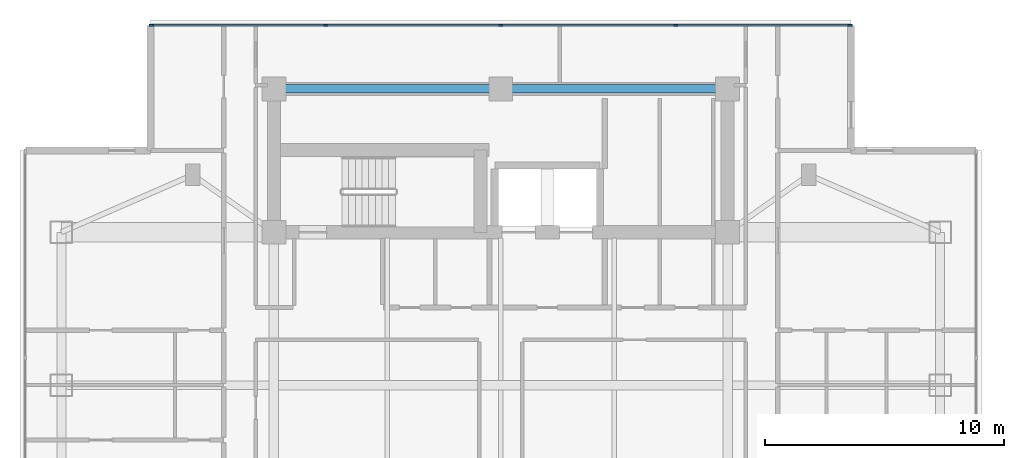
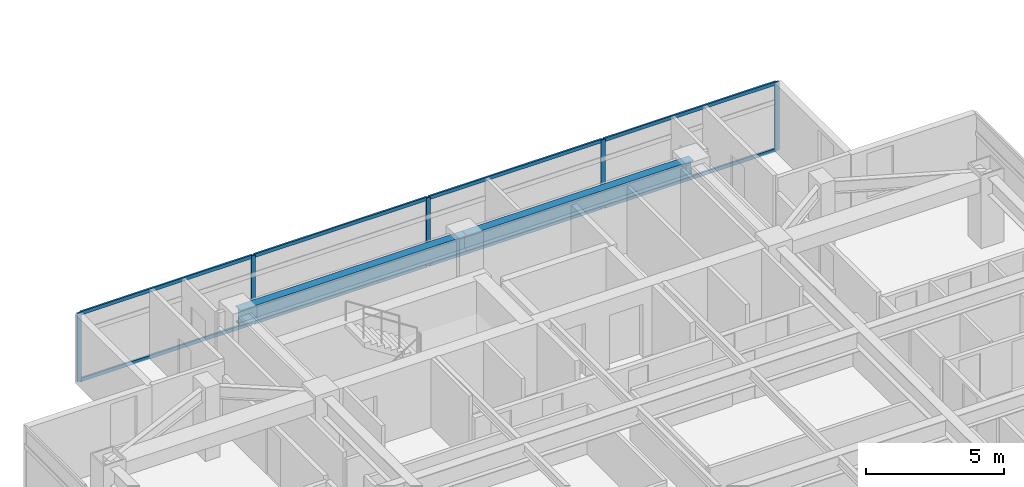
# One storey, part 8 of 24: 13 members, 2 beams, 1 element without a shape of its own.
"""IFC4 building model written with IfcOpenShell, lengths in metres."""

from ifc_helpers import new_model, si_unit, direction, frame, origin, origin_2d, place, context, subcontext, project, spatial, rectangle, i_section, extrude, material, material_profile, profile_set, type_object, element, aggregate, save


model = new_model("IFC4")

# Units and contexts
model_context = context("Model", 3, precision=1e-05, world=origin(), true_north=direction((0.0, 1.0)))
body_context = subcontext(model_context, "Body", "Model", "MODEL_VIEW")
ifc_project = project(units=[si_unit("LENGTHUNIT", "METRE"), si_unit("AREAUNIT", "SQUARE_METRE"), si_unit("VOLUMEUNIT", "CUBIC_METRE"), si_unit("PLANEANGLEUNIT", "RADIAN"), si_unit("MASSUNIT", "GRAM", prefix="KILO")], contexts=[model_context])

# Site, building, storey
site_placement = place(None, origin())
site = spatial("IfcSite", under=ifc_project, at=site_placement, CompositionType="ELEMENT")
building_placement = place(site_placement, origin())
building = spatial("IfcBuilding", under=site, at=building_placement, Name="Mirazonda Arch Towers", CompositionType="ELEMENT")
storey_placement = place(building_placement, frame((0.0, 0.0, 157.64990234375)))
storey = spatial("IfcBuildingStorey", under=building, at=storey_placement, Name="L44", CompositionType="ELEMENT", Elevation=157.64990234375)

# Beams
ifc_material_1 = material(Name="Steel ASTM A992 Grade 50", Category="steel")
ifc_material_profile_1 = material_profile(ifc_material_1, i_section(OverallWidth=0.35498046875, OverallDepth=0.696044921875, WebThickness=0.015380859375, FlangeThickness=0.02490234375, at=origin_2d()), Name="W27X146")
ifc_profile_set_1 = profile_set([ifc_material_profile_1], Name="Steel ASTM A992 Grade 50")
beam_type = type_object("IfcBeamType", Name="BM-INT-W27X146", PredefinedType="BEAM", material=ifc_profile_set_1)
for number, where, z_axis, x_axis, name in (
    (1, (11.0, 43.60009765625, 2.7021484375), (1.0, 0.0, 0.0), (0.0, 1.0, 0.0), "L44 Floor Beam BM-T1-L44-CN1"),
    (2, (20.5, 43.60009765625, 2.7021484375), (1.0, 0.0, 0.0), (0.0, 1.0, 0.0), "L44 Floor Beam BM-T1-L44-CN2"),
):
    element("IfcBeam", number, at=place(storey_placement, frame(where, z_axis=z_axis, x_axis=x_axis)), inside=storey, type_object=beam_type, Name=name, PredefinedType="BEAM", context=body_context, shape_type="SweptSolid", body=[
        extrude(i_section(OverallWidth=0.35498046875, OverallDepth=0.696044921875, WebThickness=0.015380859375, FlangeThickness=0.02490234375, at=origin_2d()), origin(), (0.0, 0.0, 1.0), 9.5),
    ])

# Curtain wall, members
ifc_material_2 = material(Name="Anodised Aluminium and Low-E Glass", Category="aluminium")
curtain_wall_type = type_object("IfcCurtainWallType", Name="CW-RES-UNIT", PredefinedType="NOTDEFINED", material=ifc_material_2)
curtain_wall_placement = place(storey_placement, origin())
curtain_wall = element("IfcCurtainWall", 3, at=curtain_wall_placement, inside=storey, type_object=curtain_wall_type, Name="L44 T1 N Facade CW-L44-T1-N", PredefinedType="NOTDEFINED")
ifc_material_3 = material(Name="Anodised Aluminium Alloy", Category="aluminium")
ifc_material_profile_2 = material_profile(ifc_material_3, rectangle(XDim=0.074951171875, YDim=0.175048828125, at=origin_2d()), Name="ALU-MULL-75x175")
ifc_profile_set_2 = profile_set([ifc_material_profile_2], Name="Anodised Aluminium Alloy")
member_type_1 = type_object("IfcMemberType", Name="MULL-CW-RES-UNIT", PredefinedType="MULLION", material=ifc_profile_set_2)
member_1_placement = place(storey_placement, frame((5.87255859375, 46.26806640625, 0.0), z_axis=(0.0, 0.0, 1.0), x_axis=(0.0, 1.0, 0.0)))
member_1 = element("IfcMember", 4, at=member_1_placement, type_object=member_type_1, Name="CW-104 mullion 1", PredefinedType="MULLION", context=body_context, shape_type="SweptSolid", body=[
    extrude(rectangle(XDim=0.074951171875, YDim=0.175048828125, at=origin_2d()), origin(), (0.0, 0.0, 1.0), 3.030029296875),
])
member_2_placement = place(storey_placement, frame((13.16748046875, 46.26806640625, 0.0), z_axis=(0.0, 0.0, 1.0), x_axis=(0.0, 1.0, 0.0)))
member_2 = element("IfcMember", 5, at=member_2_placement, type_object=member_type_1, Name="CW-104 mullion 2", PredefinedType="MULLION", context=body_context, shape_type="SweptSolid", body=[
    extrude(rectangle(XDim=0.074951171875, YDim=0.175048828125, at=origin_2d()), origin(), (0.0, 0.0, 1.0), 3.030029296875),
])
member_3_placement = place(storey_placement, frame((20.5, 46.26806640625, 0.0), z_axis=(0.0, 0.0, 1.0), x_axis=(0.0, 1.0, 0.0)))
member_3 = element("IfcMember", 6, at=member_3_placement, type_object=member_type_1, Name="CW-104 mullion 3", PredefinedType="MULLION", context=body_context, shape_type="SweptSolid", body=[
    extrude(rectangle(XDim=0.074951171875, YDim=0.175048828125, at=origin_2d()), origin(), (0.0, 0.0, 1.0), 3.030029296875),
])
member_4_placement = place(storey_placement, frame((27.83251953125, 46.26806640625, 0.0), z_axis=(0.0, 0.0, 1.0), x_axis=(0.0, 1.0, 0.0)))
member_4 = element("IfcMember", 7, at=member_4_placement, type_object=member_type_1, Name="CW-104 mullion 4", PredefinedType="MULLION", context=body_context, shape_type="SweptSolid", body=[
    extrude(rectangle(XDim=0.074951171875, YDim=0.175048828125, at=origin_2d()), origin(), (0.0, 0.0, 1.0), 3.030029296875),
])
member_5_placement = place(storey_placement, frame((35.12744140625, 46.26806640625, 0.0), z_axis=(0.0, 0.0, 1.0), x_axis=(0.0, 1.0, 0.0)))
member_5 = element("IfcMember", 8, at=member_5_placement, type_object=member_type_1, Name="CW-104 mullion 5", PredefinedType="MULLION", context=body_context, shape_type="SweptSolid", body=[
    extrude(rectangle(XDim=0.074951171875, YDim=0.175048828125, at=origin_2d()), origin(), (0.0, 0.0, 1.0), 3.030029296875),
])
ifc_material_profile_3 = material_profile(ifc_material_3, rectangle(XDim=0.074951171875, YDim=0.155029296875, at=origin_2d()), Name="ALU-TRAN-75x155")
ifc_profile_set_3 = profile_set([ifc_material_profile_3], Name="Anodised Aluminium Alloy")
member_type_2 = type_object("IfcMemberType", Name="TRAN-CW-RES-UNIT", PredefinedType="USERDEFINED", material=ifc_profile_set_3)
member_6_placement = place(storey_placement, frame((5.909912109375, 46.26806640625, 0.03759765625), z_axis=(1.0, 0.0, 0.0), x_axis=(0.0, 1.0, 0.0)))
member_6 = element("IfcMember", 9, at=member_6_placement, type_object=member_type_2, Name="CW-104 transom 1.1", ObjectType="TRANSOM", PredefinedType="USERDEFINED", context=body_context, shape_type="SweptSolid", body=[
    extrude(rectangle(XDim=0.074951171875, YDim=0.155029296875, at=origin_2d()), origin(), (0.0, 0.0, 1.0), 7.219970703125),
])
member_7_placement = place(storey_placement, frame((5.909912109375, 46.26806640625, 2.99267578125), z_axis=(1.0, 0.0, 0.0), x_axis=(0.0, 1.0, 0.0)))
member_7 = element("IfcMember", 10, at=member_7_placement, type_object=member_type_2, Name="CW-104 transom 1.2", ObjectType="TRANSOM", PredefinedType="USERDEFINED", context=body_context, shape_type="SweptSolid", body=[
    extrude(rectangle(XDim=0.074951171875, YDim=0.155029296875, at=origin_2d()), origin(), (0.0, 0.0, 1.0), 7.219970703125),
])
member_8_placement = place(storey_placement, frame((13.205078125, 46.26806640625, 0.03759765625), z_axis=(1.0, 0.0, 0.0), x_axis=(0.0, 1.0, 0.0)))
member_8 = element("IfcMember", 11, at=member_8_placement, type_object=member_type_2, Name="CW-104 transom 2.1", ObjectType="TRANSOM", PredefinedType="USERDEFINED", context=body_context, shape_type="SweptSolid", body=[
    extrude(rectangle(XDim=0.074951171875, YDim=0.155029296875, at=origin_2d()), origin(), (0.0, 0.0, 1.0), 7.25732421875),
])
member_9_placement = place(storey_placement, frame((13.205078125, 46.26806640625, 2.99267578125), z_axis=(1.0, 0.0, 0.0), x_axis=(0.0, 1.0, 0.0)))
member_9 = element("IfcMember", 12, at=member_9_placement, type_object=member_type_2, Name="CW-104 transom 2.2", ObjectType="TRANSOM", PredefinedType="USERDEFINED", context=body_context, shape_type="SweptSolid", body=[
    extrude(rectangle(XDim=0.074951171875, YDim=0.155029296875, at=origin_2d()), origin(), (0.0, 0.0, 1.0), 7.25732421875),
])
member_10_placement = place(storey_placement, frame((20.53759765625, 46.26806640625, 0.03759765625), z_axis=(1.0, 0.0, 0.0), x_axis=(0.0, 1.0, 0.0)))
member_10 = element("IfcMember", 13, at=member_10_placement, type_object=member_type_2, Name="CW-104 transom 3.1", ObjectType="TRANSOM", PredefinedType="USERDEFINED", context=body_context, shape_type="SweptSolid", body=[
    extrude(rectangle(XDim=0.074951171875, YDim=0.155029296875, at=origin_2d()), origin(), (0.0, 0.0, 1.0), 7.25732421875),
])
member_11_placement = place(storey_placement, frame((20.53759765625, 46.26806640625, 2.99267578125), z_axis=(1.0, 0.0, 0.0), x_axis=(0.0, 1.0, 0.0)))
member_11 = element("IfcMember", 14, at=member_11_placement, type_object=member_type_2, Name="CW-104 transom 3.2", ObjectType="TRANSOM", PredefinedType="USERDEFINED", context=body_context, shape_type="SweptSolid", body=[
    extrude(rectangle(XDim=0.074951171875, YDim=0.155029296875, at=origin_2d()), origin(), (0.0, 0.0, 1.0), 7.25732421875),
])
member_12_placement = place(storey_placement, frame((27.8701171875, 46.26806640625, 0.03759765625), z_axis=(1.0, 0.0, 0.0), x_axis=(0.0, 1.0, 0.0)))
member_12 = element("IfcMember", 15, at=member_12_placement, type_object=member_type_2, Name="CW-104 transom 4.1", ObjectType="TRANSOM", PredefinedType="USERDEFINED", context=body_context, shape_type="SweptSolid", body=[
    extrude(rectangle(XDim=0.074951171875, YDim=0.155029296875, at=origin_2d()), origin(), (0.0, 0.0, 1.0), 7.219970703125),
])
member_13_placement = place(storey_placement, frame((27.8701171875, 46.26806640625, 2.99267578125), z_axis=(1.0, 0.0, 0.0), x_axis=(0.0, 1.0, 0.0)))
member_13 = element("IfcMember", 16, at=member_13_placement, type_object=member_type_2, Name="CW-104 transom 4.2", ObjectType="TRANSOM", PredefinedType="USERDEFINED", context=body_context, shape_type="SweptSolid", body=[
    extrude(rectangle(XDim=0.074951171875, YDim=0.155029296875, at=origin_2d()), origin(), (0.0, 0.0, 1.0), 7.219970703125),
])
aggregate(curtain_wall, [member_1, member_2, member_3, member_4, member_5, member_6, member_7, member_8, member_9, member_10, member_11, member_12, member_13])

save(model, "model.ifc")
